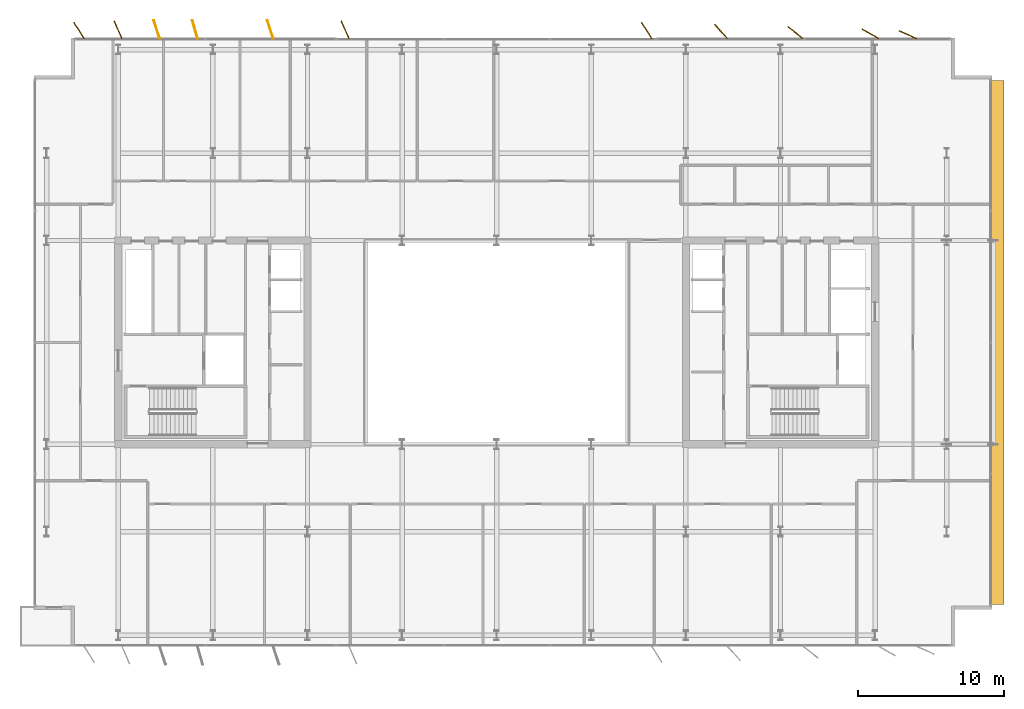
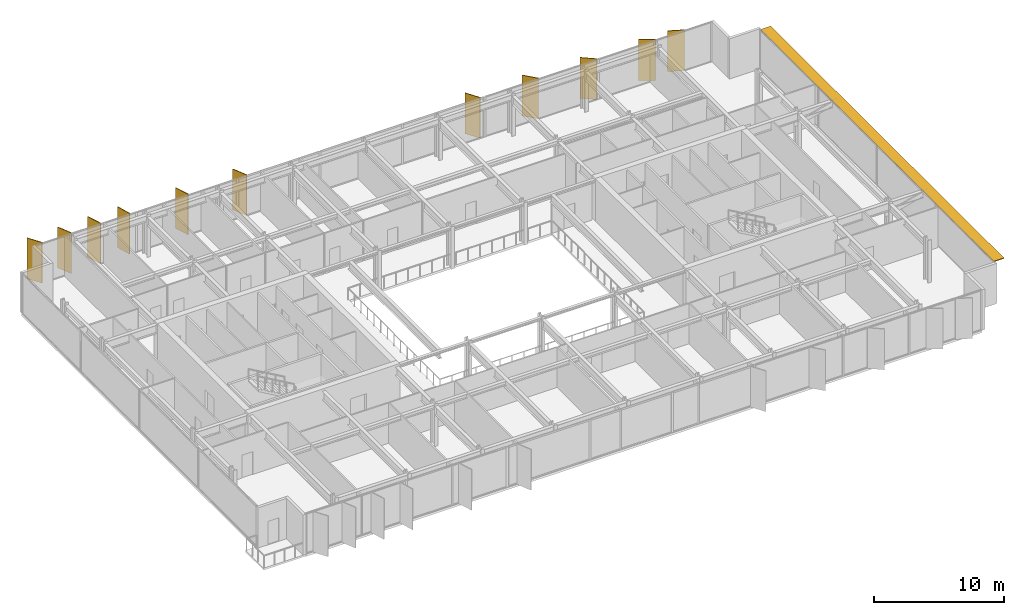
# One storey, part 20 of 20: 12 shading devices.
"""IFC4 building model written with IfcOpenShell, lengths in metres."""

from ifc_helpers import new_model, si_unit, direction, frame, origin, origin_2d, place, context, subcontext, project, spatial, polyline, rectangle, outline, extrude, material, layer, layer_set, type_object, element, save


model = new_model("IFC4")

# Units and contexts
model_context = context("Model", 3, precision=1e-05, world=origin(), true_north=direction((0.0, 1.0)))
body_context = subcontext(model_context, "Body", "Model", "MODEL_VIEW")
ifc_project = project(units=[si_unit("LENGTHUNIT", "METRE"), si_unit("AREAUNIT", "SQUARE_METRE"), si_unit("VOLUMEUNIT", "CUBIC_METRE"), si_unit("PLANEANGLEUNIT", "RADIAN"), si_unit("MASSUNIT", "GRAM", prefix="KILO")], contexts=[model_context])

# Site, building, storey
site_placement = place(None, origin())
site = spatial("IfcSite", under=ifc_project, at=site_placement, CompositionType="ELEMENT")
building_placement = place(site_placement, origin())
building = spatial("IfcBuilding", under=site, at=building_placement, Name="Putna Gate Headquarters", CompositionType="ELEMENT")
storey_placement = place(building_placement, frame((0.0, 0.0, 286.39990234375)))
storey = spatial("IfcBuildingStorey", under=building, at=storey_placement, Name="L72", CompositionType="ELEMENT", Elevation=286.39990234375)

# Shading devices
ifc_material_1 = material(Name="Anodised architectural bronze aluminium fin", Category="aluminium")
ifc_layer_1 = layer(ifc_material_1, 0.06494140625)
ifc_layer_set_1 = layer_set([ifc_layer_1], Name="Anodised architectural bronze aluminium fin")
shading_device_type_1 = type_object("IfcShadingDeviceType", Name="SHADE-BRONZE-FIN-1320", PredefinedType="USERDEFINED", material=ifc_layer_set_1)
for number, where, z_axis, x_axis, name in (
    (1, (10.2998046875, 47.434326171875, -0.02001953125), (0.0, 0.0, 1.0), (-0.530659123936, 0.847585331506, 0.0), "L72 Bronze Vertical Shading Fin N1"),
    (2, (12.985595703125, 47.479736328125, -0.02001953125), (0.0, 0.0, 1.0), (-0.400668879095, 0.916222925562, 0.0), "L72 Bronze Vertical Shading Fin N2"),
    (3, (15.646240234375, 47.502685546875, -0.02001953125), (0.0, 0.0, 1.0), (-0.308684994204, 0.951164325631, 0.0), "L72 Bronze Vertical Shading Fin N3"),
    (4, (18.26806640625, 47.509521484375, -0.02001953125), (0.0, 0.0, 1.0), (-0.275637355817, 0.961261695938, 0.0), "L72 Bronze Vertical Shading Fin N4"),
    (5, (23.4462890625, 47.502685546875, -0.02001953125), (0.0, 0.0, 1.0), (-0.308684994204, 0.951164325631, 0.0), "L72 Bronze Vertical Shading Fin N5"),
    (6, (28.585693359375, 47.479736328125, -0.02001953125), (0.0, 0.0, 1.0), (-0.400668879095, 0.916222925562, 0.0), "L72 Bronze Vertical Shading Fin N6"),
    (7, (49.2998046875, 47.434326171875, -0.02001953125), (0.0, 0.0, 1.0), (-0.530659123936, 0.847585331506, 0.0), "L72 Bronze Vertical Shading Fin N7"),
    (8, (54.408447265625, 47.365478515625, -0.02001953125), (0.0, 0.0, 1.0), (-0.669130606359, 0.743144825477, 0.0), "L72 Bronze Vertical Shading Fin N8"),
    (9, (59.5302734375, 47.28173828125, -0.02001953125), (0.0, 0.0, 1.0), (-0.787473187632, 0.616348909921, 0.0), "L72 Bronze Vertical Shading Fin N9"),
    (10, (64.67626953125, 47.201171875, -0.02001953125), (0.0, 0.0, 1.0), (-0.869322458298, 0.494245347472, 0.0), "L72 Bronze Vertical Shading Fin N10"),
    (11, (67.2470703125, 47.143310546875, -0.02001953125), (0.0, 0.0, 1.0), (-0.913687379856, 0.40641773078, 0.0), "L72 Bronze Vertical Shading Fin N11"),
):
    element("IfcShadingDevice", number, at=place(storey_placement, frame(where, z_axis=z_axis, x_axis=x_axis)), inside=storey, type_object=shading_device_type_1, Name=name, ObjectType="FIN", PredefinedType="USERDEFINED", context=body_context, shape_type="SweptSolid", body=[
        extrude(rectangle(XDim=1.320068359375, YDim=0.06494140625, at=origin_2d()), origin(), (0.0, 0.0, 1.0), 3.827880859375),
    ])
ifc_material_2 = material(Name="Anodised architectural bronze sunshade blade", Category="aluminium")
ifc_layer_2 = layer(ifc_material_2, 0.06005859375)
ifc_layer_set_2 = layer_set([ifc_layer_2], Name="Anodised architectural bronze sunshade blade")
shading_device_type_2 = type_object("IfcShadingDeviceType", Name="SHADE-SAIL-BLADE-900", PredefinedType="USERDEFINED", material=ifc_layer_set_2)
shading_device_placement = place(storey_placement, frame((0.0, 0.0, 3.733154296875)))
element("IfcShadingDevice", 12, at=shading_device_placement, inside=storey, type_object=shading_device_type_2, Name="L72 East Sail Horizontal Bronze Sunshade Blade", ObjectType="SUNSHADE", PredefinedType="USERDEFINED", context=body_context, shape_type="SweptSolid", body=[
    extrude(outline(polyline([(72.955078125, 8.0), (73.85498046875, 8.0), (73.85498046875, 44.0), (72.955078125, 44.0), (72.955078125, 8.0)])), origin(), (0.0, 0.0, 1.0), 0.06005859375),
])

save(model, "model.ifc")
